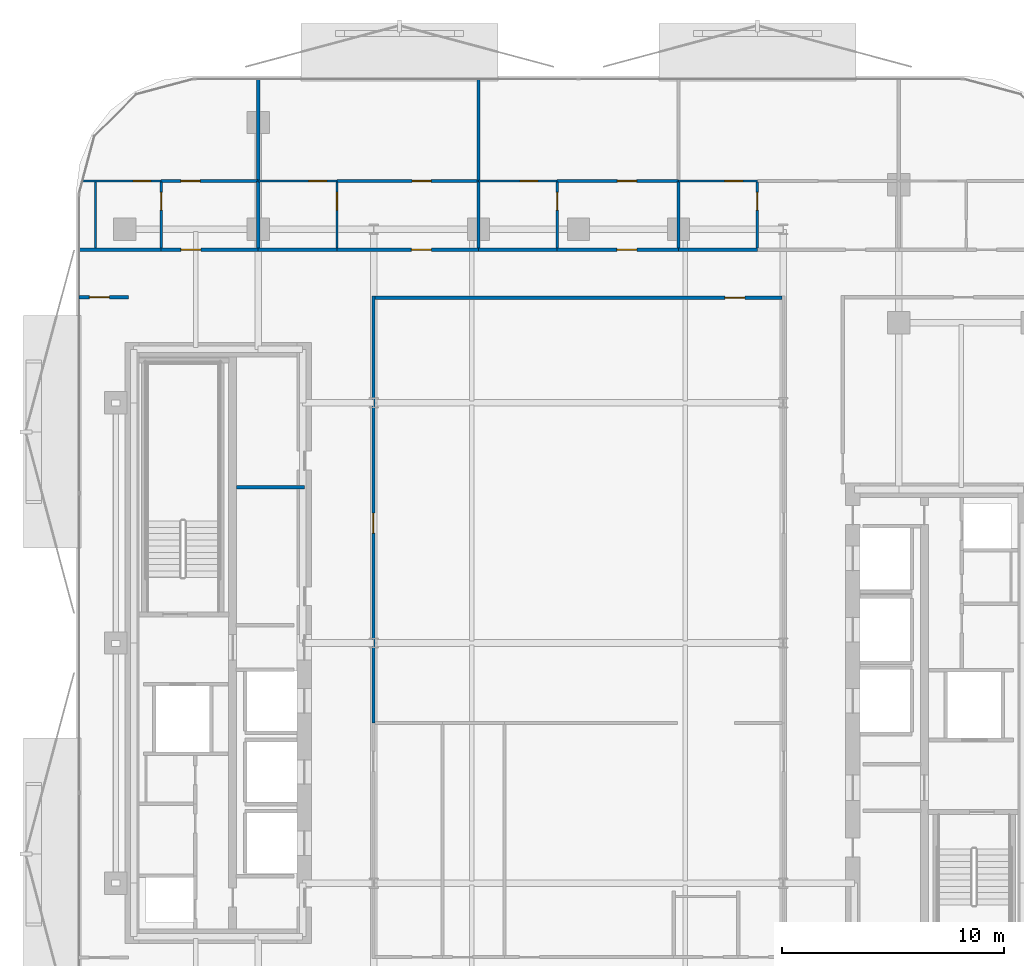
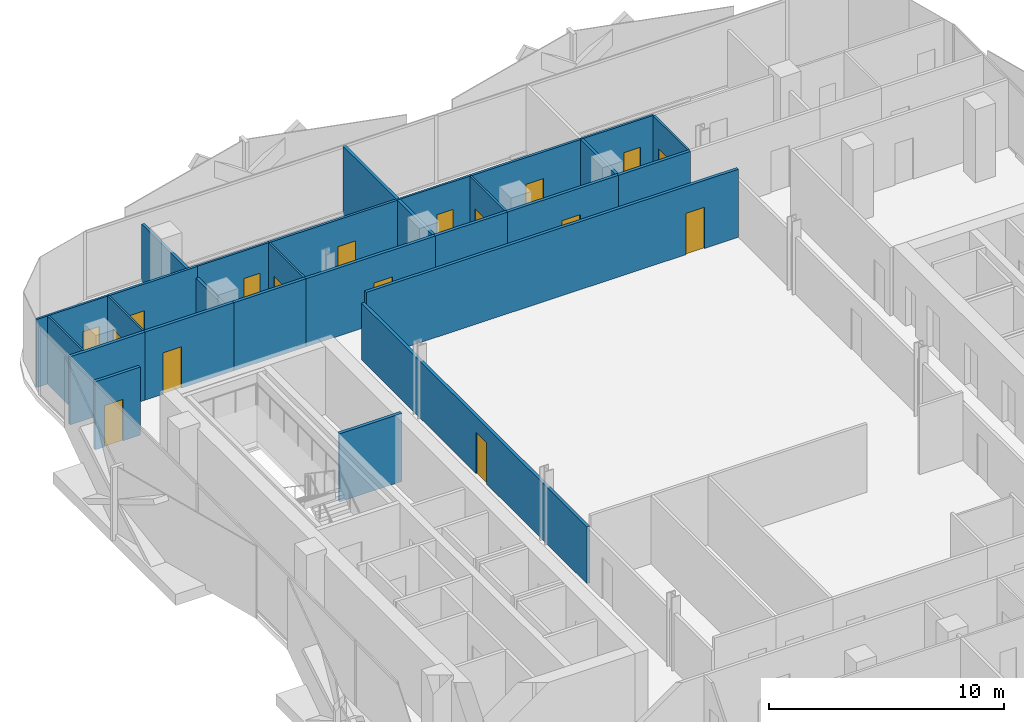
# One storey, part 6 of 17: 28 walls, 17 doors, 17 openings.
"""IFC4 building model written with IfcOpenShell, lengths in metres."""

from ifc_helpers import new_model, si_unit, direction, frame, frame_2d, origin, place, context, subcontext, project, spatial, rectangle, extrude, material, layer, layer_set, type_object, element, fill, save


model = new_model("IFC4")

# Units and contexts
model_context = context("Model", 3, precision=1e-05, world=origin(), true_north=direction((0.0, 1.0)))
body_context = subcontext(model_context, "Body", "Model", "MODEL_VIEW")
ifc_project = project(units=[si_unit("LENGTHUNIT", "METRE"), si_unit("AREAUNIT", "SQUARE_METRE"), si_unit("VOLUMEUNIT", "CUBIC_METRE"), si_unit("PLANEANGLEUNIT", "RADIAN"), si_unit("MASSUNIT", "GRAM", prefix="KILO")], contexts=[model_context])

# Site, building, storey
site_placement = place(None, origin())
site = spatial("IfcSite", under=ifc_project, at=site_placement, CompositionType="ELEMENT")
building_placement = place(site_placement, origin())
building = spatial("IfcBuilding", under=site, at=building_placement, Name="Khairoan Windgate Tower", CompositionType="ELEMENT")
storey_placement = place(building_placement, frame((0.0, 0.0, 165.0)))
storey = spatial("IfcBuildingStorey", under=building, at=storey_placement, Name="L37", CompositionType="ELEMENT", Elevation=165.0)

# Wall, opening, door
ifc_material_1 = material(Name="Moisture-Resistant Gypsum Partition", Category="gypsum")
ifc_layer_1 = layer(ifc_material_1, 0.10009765625, Name="Moisture-Resistant Gypsum Partition")
ifc_layer_set_1 = layer_set([ifc_layer_1], Name="Moisture-Resistant Gypsum Partition")
wall_type_1 = type_object("IfcWallType", Name="Bathroom Wet-Area Partition Wall", PredefinedType="PARTITIONING", material=ifc_layer_set_1)
wall_1_placement = place(storey_placement, frame((-18.763916015625, 17.7548828125, 0.0), z_axis=(0.0, 0.0, 1.0), x_axis=(0.0, 1.0, 0.0)))
wall_1 = element("IfcWall", 1, at=wall_1_placement, inside=storey, type_object=wall_type_1, Name="L37 Interior Partition 050", PredefinedType="PARTITIONING", context=body_context, shape_type="SweptSolid", body=[
    extrude(rectangle(XDim=2.965087890625, YDim=0.10009765625, at=frame_2d((1.482421875, 0.0))), origin(), (0.0, 0.0, 1.0), 3.5400390625),
])
opening_1_placement = place(wall_1_placement, frame((1.705078125, 0.0, 0.0)))
opening_1 = element("IfcOpeningElement", 2, at=opening_1_placement, cuts=wall_1, Name="Opening ID-BTH", PredefinedType="OPENING", context=body_context, shape_type="SweptSolid", body=[
    extrude(rectangle(XDim=0.800048828125, YDim=2.10009765625, at=frame_2d((0.39990234375, 1.050048828125))), frame((0.0, 0.06005859375, 0.0), z_axis=(0.0, -1.0, 0.0), x_axis=(1.0, 0.0, 0.0)), (0.0, 0.0, 1.0), 0.1201171875),
])
ifc_material_2 = material(Name="Teak Veneer Timber Leaf", Category="wood")
door_type_1 = type_object("IfcDoorType", Name="Internal Bathroom Door ID-BTH 800x2100", OperationType="NOTDEFINED", PredefinedType="DOOR", material=ifc_material_2)
door_1_placement = place(opening_1_placement, origin())
door_1 = element("IfcDoor", 3, at=door_1_placement, inside=storey, type_object=door_type_1, Name="L37 L37-38-L37-39 Door", OperationType="SINGLE_SWING_RIGHT", OverallHeight=2.10009765625, OverallWidth=0.800048828125, PredefinedType="DOOR", context=body_context, shape_type="SweptSolid", body=[
    extrude(rectangle(XDim=0.800048828125, YDim=2.10009765625, at=frame_2d((0.39990234375, 1.050048828125))), frame((0.0, 0.02490234375, 0.0), z_axis=(0.0, -1.0, 0.0), x_axis=(1.0, 0.0, 0.0)), (0.0, 0.0, 1.0), 0.050048828125),
])
fill(opening_1, door_1)

wall_2_placement = place(storey_placement, frame((-22.300048828125, 20.77001953125, 0.0), z_axis=(0.0, 0.0, 1.0), x_axis=(1.0, 0.0, 0.0)))
wall_2 = element("IfcWall", 4, at=wall_2_placement, inside=storey, type_object=wall_type_1, Name="L37 Interior Partition 051", PredefinedType="PARTITIONING", context=body_context, shape_type="SweptSolid", body=[
    extrude(rectangle(XDim=3.5361328125, YDim=0.10009765625, at=frame_2d((1.76806640625, 0.0))), origin(), (0.0, 0.0, 1.0), 3.5400390625),
])
opening_2_placement = place(wall_2_placement, frame((2.276123046875, 0.0, 0.0)))
opening_2 = element("IfcOpeningElement", 5, at=opening_2_placement, cuts=wall_2, Name="Opening ID-BTH", PredefinedType="OPENING", context=body_context, shape_type="SweptSolid", body=[
    extrude(rectangle(XDim=0.800048828125, YDim=2.10009765625, at=frame_2d((0.39990234375, 1.050048828125))), frame((0.0, 0.06005859375, 0.0), z_axis=(0.0, -1.0, 0.0), x_axis=(1.0, 0.0, 0.0)), (0.0, 0.0, 1.0), 0.1201171875),
])
door_2_placement = place(opening_2_placement, origin())
door_2 = element("IfcDoor", 6, at=door_2_placement, inside=storey, type_object=door_type_1, Name="L37 L37-38-L37-40 Door", OperationType="SINGLE_SWING_LEFT", OverallHeight=2.10009765625, OverallWidth=0.800048828125, PredefinedType="DOOR", context=body_context, shape_type="SweptSolid", body=[
    extrude(rectangle(XDim=0.800048828125, YDim=2.10009765625, at=frame_2d((0.39990234375, 1.050048828125))), frame((0.0, 0.02490234375, 0.0), z_axis=(0.0, -1.0, 0.0), x_axis=(1.0, 0.0, 0.0)), (0.0, 0.0, 1.0), 0.050048828125),
])
fill(opening_2, door_2)

wall_3_placement = place(storey_placement, frame((-10.860107421875, 17.7548828125, 0.0), z_axis=(0.0, 0.0, 1.0), x_axis=(0.0, 1.0, 0.0)))
wall_3 = element("IfcWall", 7, at=wall_3_placement, inside=storey, type_object=wall_type_1, Name="L37 Interior Partition 055", PredefinedType="PARTITIONING", context=body_context, shape_type="SweptSolid", body=[
    extrude(rectangle(XDim=2.965087890625, YDim=0.10009765625, at=frame_2d((1.482421875, 0.0))), origin(), (0.0, 0.0, 1.0), 3.5400390625),
])
opening_3_placement = place(wall_3_placement, frame((1.705078125, 0.0, 0.0)))
opening_3 = element("IfcOpeningElement", 8, at=opening_3_placement, cuts=wall_3, Name="Opening ID-BTH", PredefinedType="OPENING", context=body_context, shape_type="SweptSolid", body=[
    extrude(rectangle(XDim=0.800048828125, YDim=2.10009765625, at=frame_2d((0.39990234375, 1.050048828125))), frame((0.0, 0.06005859375, 0.0), z_axis=(0.0, -1.0, 0.0), x_axis=(1.0, 0.0, 0.0)), (0.0, 0.0, 1.0), 0.1201171875),
])
door_3_placement = place(opening_3_placement, origin())
door_3 = element("IfcDoor", 9, at=door_3_placement, inside=storey, type_object=door_type_1, Name="L37 L37-41-L37-42 Door", OperationType="SINGLE_SWING_LEFT", OverallHeight=2.10009765625, OverallWidth=0.800048828125, PredefinedType="DOOR", context=body_context, shape_type="SweptSolid", body=[
    extrude(rectangle(XDim=0.800048828125, YDim=2.10009765625, at=frame_2d((0.39990234375, 1.050048828125))), frame((0.0, 0.02490234375, 0.0), z_axis=(0.0, -1.0, 0.0), x_axis=(1.0, 0.0, 0.0)), (0.0, 0.0, 1.0), 0.050048828125),
])
fill(opening_3, door_3)

wall_4_placement = place(storey_placement, frame((-14.39990234375, 20.77001953125, 0.0), z_axis=(0.0, 0.0, 1.0), x_axis=(1.0, 0.0, 0.0)))
wall_4 = element("IfcWall", 10, at=wall_4_placement, inside=storey, type_object=wall_type_1, Name="L37 Interior Partition 056", PredefinedType="PARTITIONING", context=body_context, shape_type="SweptSolid", body=[
    extrude(rectangle(XDim=3.539794921875, YDim=0.10009765625, at=frame_2d((1.77001953125, 0.0))), origin(), (0.0, 0.0, 1.0), 3.5400390625),
])
opening_4_placement = place(wall_4_placement, frame((2.280029296875, 0.0, 0.0)))
opening_4 = element("IfcOpeningElement", 11, at=opening_4_placement, cuts=wall_4, Name="Opening ID-BTH", PredefinedType="OPENING", context=body_context, shape_type="SweptSolid", body=[
    extrude(rectangle(XDim=0.800048828125, YDim=2.10009765625, at=frame_2d((0.39990234375, 1.050048828125))), frame((0.0, 0.06005859375, 0.0), z_axis=(0.0, -1.0, 0.0), x_axis=(1.0, 0.0, 0.0)), (0.0, 0.0, 1.0), 0.1201171875),
])
door_4_placement = place(opening_4_placement, origin())
door_4 = element("IfcDoor", 12, at=door_4_placement, inside=storey, type_object=door_type_1, Name="L37 L37-41-L37-43 Door", OperationType="SINGLE_SWING_RIGHT", OverallHeight=2.10009765625, OverallWidth=0.800048828125, PredefinedType="DOOR", context=body_context, shape_type="SweptSolid", body=[
    extrude(rectangle(XDim=0.800048828125, YDim=2.10009765625, at=frame_2d((0.39990234375, 1.050048828125))), frame((0.0, 0.02490234375, 0.0), z_axis=(0.0, -1.0, 0.0), x_axis=(1.0, 0.0, 0.0)), (0.0, 0.0, 1.0), 0.050048828125),
])
fill(opening_4, door_4)

wall_5_placement = place(storey_placement, frame((-0.9599609375, 17.7548828125, 0.0), z_axis=(0.0, 0.0, 1.0), x_axis=(0.0, 1.0, 0.0)))
wall_5 = element("IfcWall", 13, at=wall_5_placement, inside=storey, type_object=wall_type_1, Name="L37 Interior Partition 060", PredefinedType="PARTITIONING", context=body_context, shape_type="SweptSolid", body=[
    extrude(rectangle(XDim=2.965087890625, YDim=0.10009765625, at=frame_2d((1.482421875, 0.0))), origin(), (0.0, 0.0, 1.0), 3.5400390625),
])
opening_5_placement = place(wall_5_placement, frame((1.705078125, 0.0, 0.0)))
opening_5 = element("IfcOpeningElement", 14, at=opening_5_placement, cuts=wall_5, Name="Opening ID-BTH", PredefinedType="OPENING", context=body_context, shape_type="SweptSolid", body=[
    extrude(rectangle(XDim=0.800048828125, YDim=2.10009765625, at=frame_2d((0.39990234375, 1.050048828125))), frame((0.0, 0.06005859375, 0.0), z_axis=(0.0, -1.0, 0.0), x_axis=(1.0, 0.0, 0.0)), (0.0, 0.0, 1.0), 0.1201171875),
])
door_5_placement = place(opening_5_placement, origin())
door_5 = element("IfcDoor", 15, at=door_5_placement, inside=storey, type_object=door_type_1, Name="L37 L37-44-L37-45 Door", OperationType="SINGLE_SWING_RIGHT", OverallHeight=2.10009765625, OverallWidth=0.800048828125, PredefinedType="DOOR", context=body_context, shape_type="SweptSolid", body=[
    extrude(rectangle(XDim=0.800048828125, YDim=2.10009765625, at=frame_2d((0.39990234375, 1.050048828125))), frame((0.0, 0.02490234375, 0.0), z_axis=(0.0, -1.0, 0.0), x_axis=(1.0, 0.0, 0.0)), (0.0, 0.0, 1.0), 0.050048828125),
])
fill(opening_5, door_5)

wall_6_placement = place(storey_placement, frame((-4.5, 20.77001953125, 0.0), z_axis=(0.0, 0.0, 1.0), x_axis=(1.0, 0.0, 0.0)))
wall_6 = element("IfcWall", 16, at=wall_6_placement, inside=storey, type_object=wall_type_1, Name="L37 Interior Partition 061", PredefinedType="PARTITIONING", context=body_context, shape_type="SweptSolid", body=[
    extrude(rectangle(XDim=3.5400390625, YDim=0.10009765625, at=frame_2d((1.77001953125, 0.0))), origin(), (0.0, 0.0, 1.0), 3.5400390625),
])
opening_6_placement = place(wall_6_placement, frame((1.87548828125, 0.0, 0.0)))
opening_6 = element("IfcOpeningElement", 17, at=opening_6_placement, cuts=wall_6, Name="Opening ID-BTH", PredefinedType="OPENING", context=body_context, shape_type="SweptSolid", body=[
    extrude(rectangle(XDim=0.800048828125, YDim=2.10009765625, at=frame_2d((0.39990234375, 1.050048828125))), frame((0.0, 0.06005859375, 0.0), z_axis=(0.0, -1.0, 0.0), x_axis=(1.0, 0.0, 0.0)), (0.0, 0.0, 1.0), 0.1201171875),
])
door_6_placement = place(opening_6_placement, origin())
door_6 = element("IfcDoor", 18, at=door_6_placement, inside=storey, type_object=door_type_1, Name="L37 L37-44-L37-46 Door", OperationType="SINGLE_SWING_LEFT", OverallHeight=2.10009765625, OverallWidth=0.800048828125, PredefinedType="DOOR", context=body_context, shape_type="SweptSolid", body=[
    extrude(rectangle(XDim=0.800048828125, YDim=2.10009765625, at=frame_2d((0.39990234375, 1.050048828125))), frame((0.0, 0.02490234375, 0.0), z_axis=(0.0, -1.0, 0.0), x_axis=(1.0, 0.0, 0.0)), (0.0, 0.0, 1.0), 0.050048828125),
])
fill(opening_6, door_6)

wall_7_placement = place(storey_placement, frame((8.0400390625, 17.7548828125, 0.0), z_axis=(0.0, 0.0, 1.0), x_axis=(0.0, 1.0, 0.0)))
wall_7 = element("IfcWall", 19, at=wall_7_placement, inside=storey, type_object=wall_type_1, Name="L37 Interior Partition 065", PredefinedType="PARTITIONING", context=body_context, shape_type="SweptSolid", body=[
    extrude(rectangle(XDim=2.965087890625, YDim=0.10009765625, at=frame_2d((1.482421875, 0.0))), origin(), (0.0, 0.0, 1.0), 3.5400390625),
])
opening_7_placement = place(wall_7_placement, frame((1.705078125, 0.0, 0.0)))
opening_7 = element("IfcOpeningElement", 20, at=opening_7_placement, cuts=wall_7, Name="Opening ID-BTH", PredefinedType="OPENING", context=body_context, shape_type="SweptSolid", body=[
    extrude(rectangle(XDim=0.800048828125, YDim=2.10009765625, at=frame_2d((0.39990234375, 1.050048828125))), frame((0.0, 0.06005859375, 0.0), z_axis=(0.0, -1.0, 0.0), x_axis=(1.0, 0.0, 0.0)), (0.0, 0.0, 1.0), 0.1201171875),
])
door_7_placement = place(opening_7_placement, origin())
door_7 = element("IfcDoor", 21, at=door_7_placement, inside=storey, type_object=door_type_1, Name="L37 L37-47-L37-48 Door", OperationType="SINGLE_SWING_LEFT", OverallHeight=2.10009765625, OverallWidth=0.800048828125, PredefinedType="DOOR", context=body_context, shape_type="SweptSolid", body=[
    extrude(rectangle(XDim=0.800048828125, YDim=2.10009765625, at=frame_2d((0.39990234375, 1.050048828125))), frame((0.0, 0.02490234375, 0.0), z_axis=(0.0, -1.0, 0.0), x_axis=(1.0, 0.0, 0.0)), (0.0, 0.0, 1.0), 0.050048828125),
])
fill(opening_7, door_7)

wall_8_placement = place(storey_placement, frame((4.5, 20.77001953125, 0.0), z_axis=(0.0, 0.0, 1.0), x_axis=(1.0, 0.0, 0.0)))
wall_8 = element("IfcWall", 22, at=wall_8_placement, inside=storey, type_object=wall_type_1, Name="L37 Interior Partition 066", PredefinedType="PARTITIONING", context=body_context, shape_type="SweptSolid", body=[
    extrude(rectangle(XDim=3.5400390625, YDim=0.10009765625, at=frame_2d((1.77001953125, 0.0))), origin(), (0.0, 0.0, 1.0), 3.5400390625),
])
opening_8_placement = place(wall_8_placement, frame((2.077880859375, 0.0, 0.0)))
opening_8 = element("IfcOpeningElement", 23, at=opening_8_placement, cuts=wall_8, Name="Opening ID-BTH", PredefinedType="OPENING", context=body_context, shape_type="SweptSolid", body=[
    extrude(rectangle(XDim=0.800048828125, YDim=2.10009765625, at=frame_2d((0.39990234375, 1.050048828125))), frame((0.0, 0.06005859375, 0.0), z_axis=(0.0, -1.0, 0.0), x_axis=(1.0, 0.0, 0.0)), (0.0, 0.0, 1.0), 0.1201171875),
])
door_8_placement = place(opening_8_placement, origin())
door_8 = element("IfcDoor", 24, at=door_8_placement, inside=storey, type_object=door_type_1, Name="L37 L37-47-L37-49 Door", OperationType="SINGLE_SWING_RIGHT", OverallHeight=2.10009765625, OverallWidth=0.800048828125, PredefinedType="DOOR", context=body_context, shape_type="SweptSolid", body=[
    extrude(rectangle(XDim=0.800048828125, YDim=2.10009765625, at=frame_2d((0.39990234375, 1.050048828125))), frame((0.0, 0.02490234375, 0.0), z_axis=(0.0, -1.0, 0.0), x_axis=(1.0, 0.0, 0.0)), (0.0, 0.0, 1.0), 0.050048828125),
])
fill(opening_8, door_8)

# Walls
wall_9_placement = place(storey_placement, frame((-21.719970703125, 17.7548828125, 0.0), z_axis=(0.0, 0.0, 1.0), x_axis=(0.0, 1.0, 0.0)))
element("IfcWall", 25, at=wall_9_placement, inside=storey, type_object=wall_type_1, Name="L37 Wet Room Side Wall 090", PredefinedType="PARTITIONING", context=body_context, shape_type="SweptSolid", body=[
    extrude(rectangle(XDim=2.965087890625, YDim=0.10009765625, at=frame_2d((1.482421875, 0.0))), origin(), (0.0, 0.0, 1.0), 3.5400390625),
])
ifc_material_3 = material(Name="Acoustic Fire-Rated Gypsum Partition", Category="gypsum")
ifc_layer_2 = layer(ifc_material_3, 0.139892578125, Name="Acoustic Fire-Rated Gypsum Partition")
ifc_layer_set_2 = layer_set([ifc_layer_2], Name="Acoustic Fire-Rated Gypsum Partition")
wall_type_2 = type_object("IfcWallType", Name="Inter-Tenancy Compartment Wall", PredefinedType="PARTITIONING", material=ifc_layer_set_2)
wall_10_placement = place(storey_placement, frame((-14.39990234375, 17.7548828125, 0.0), z_axis=(0.0, 0.0, 1.0), x_axis=(0.0, 1.0, 0.0)))
element("IfcWall", 26, at=wall_10_placement, inside=storey, type_object=wall_type_2, Name="L37 Interior Partition 053", PredefinedType="PARTITIONING", context=body_context, shape_type="SweptSolid", body=[
    extrude(rectangle(XDim=3.01513671875, YDim=0.139892578125, at=frame_2d((1.507568359375, 0.0))), origin(), (0.0, 0.0, 1.0), 2.951904296875),
])
wall_11_placement = place(storey_placement, frame((-14.39990234375, 20.77001953125, 0.0), z_axis=(0.0, 0.0, 1.0), x_axis=(0.0, 1.0, 0.0)))
element("IfcWall", 27, at=wall_11_placement, inside=storey, type_object=wall_type_2, Name="L37 Interior Partition 054", PredefinedType="PARTITIONING", context=body_context, shape_type="SweptSolid", body=[
    extrude(rectangle(XDim=4.5849609375, YDim=0.139892578125, at=frame_2d((2.29248046875, 0.0))), origin(), (0.0, 0.0, 1.0), 2.951904296875),
])
wall_12_placement = place(storey_placement, frame((-4.5, 17.7548828125, 0.0), z_axis=(0.0, 0.0, 1.0), x_axis=(0.0, 1.0, 0.0)))
element("IfcWall", 28, at=wall_12_placement, inside=storey, type_object=wall_type_2, Name="L37 Interior Partition 058", PredefinedType="PARTITIONING", context=body_context, shape_type="SweptSolid", body=[
    extrude(rectangle(XDim=3.01513671875, YDim=0.139892578125, at=frame_2d((1.507568359375, 0.0))), origin(), (0.0, 0.0, 1.0), 3.5400390625),
])
wall_13_placement = place(storey_placement, frame((-4.5, 20.77001953125, 0.0), z_axis=(0.0, 0.0, 1.0), x_axis=(0.0, 1.0, 0.0)))
element("IfcWall", 29, at=wall_13_placement, inside=storey, type_object=wall_type_2, Name="L37 Interior Partition 059", PredefinedType="PARTITIONING", context=body_context, shape_type="SweptSolid", body=[
    extrude(rectangle(XDim=4.5849609375, YDim=0.139892578125, at=frame_2d((2.29248046875, 0.0))), origin(), (0.0, 0.0, 1.0), 3.5400390625),
])
wall_14_placement = place(storey_placement, frame((4.5, 17.7548828125, 0.0), z_axis=(0.0, 0.0, 1.0), x_axis=(0.0, 1.0, 0.0)))
element("IfcWall", 30, at=wall_14_placement, inside=storey, type_object=wall_type_2, Name="L37 Interior Partition 063", PredefinedType="PARTITIONING", context=body_context, shape_type="SweptSolid", body=[
    extrude(rectangle(XDim=3.01513671875, YDim=0.139892578125, at=frame_2d((1.507568359375, 0.0))), origin(), (0.0, 0.0, 1.0), 3.5400390625),
])

# Wall, opening, door
ifc_material_4 = material(Name="Gypsum Stud Partition", Category="gypsum")
ifc_layer_3 = layer(ifc_material_4, 0.1201171875, Name="Gypsum Stud Partition")
ifc_layer_set_3 = layer_set([ifc_layer_3], Name="Gypsum Stud Partition")
wall_type_3 = type_object("IfcWallType", Name="Internal Room Partition Wall", PredefinedType="PARTITIONING", material=ifc_layer_set_3)
wall_15_placement = place(storey_placement, frame((-18.763916015625, 20.77001953125, 0.0), z_axis=(0.0, 0.0, 1.0), x_axis=(1.0, 0.0, 0.0)))
wall_15 = element("IfcWall", 31, at=wall_15_placement, inside=storey, type_object=wall_type_3, Name="L37 Interior Partition 052", PredefinedType="PARTITIONING", context=body_context, shape_type="SweptSolid", body=[
    extrude(rectangle(XDim=4.364013671875, YDim=0.1201171875, at=frame_2d((2.18212890625, 0.0))), origin(), (0.0, 0.0, 1.0), 3.5400390625),
])
opening_9_placement = place(wall_15_placement, frame((0.890625, 0.0, 0.0)))
opening_9 = element("IfcOpeningElement", 32, at=opening_9_placement, cuts=wall_15, Name="Opening ID-RM", PredefinedType="OPENING", context=body_context, shape_type="SweptSolid", body=[
    extrude(rectangle(XDim=0.860107421875, YDim=2.14990234375, at=frame_2d((0.43017578125, 1.074951171875))), frame((0.0, 0.070068359375, 0.0), z_axis=(0.0, -1.0, 0.0), x_axis=(1.0, 0.0, 0.0)), (0.0, 0.0, 1.0), 0.14013671875),
])
ifc_material_5 = material(Name="Teak Veneer Timber Leaf", Category="wood")
door_type_2 = type_object("IfcDoorType", Name="Internal Bedroom and Office Door ID-RM 860x2150", OperationType="NOTDEFINED", PredefinedType="DOOR", material=ifc_material_5)
door_9_placement = place(opening_9_placement, origin())
door_9 = element("IfcDoor", 33, at=door_9_placement, inside=storey, type_object=door_type_2, Name="L37 L37-39-L37-40 Door", OperationType="SINGLE_SWING_RIGHT", OverallHeight=2.14990234375, OverallWidth=0.860107421875, PredefinedType="DOOR", context=body_context, shape_type="SweptSolid", body=[
    extrude(rectangle(XDim=0.860107421875, YDim=2.14990234375, at=frame_2d((0.43017578125, 1.074951171875))), frame((0.0, 0.02490234375, 0.0), z_axis=(0.0, -1.0, 0.0), x_axis=(1.0, 0.0, 0.0)), (0.0, 0.0, 1.0), 0.050048828125),
])
fill(opening_9, door_9)

wall_16_placement = place(storey_placement, frame((-10.860107421875, 20.77001953125, 0.0), z_axis=(0.0, 0.0, 1.0), x_axis=(1.0, 0.0, 0.0)))
wall_16 = element("IfcWall", 34, at=wall_16_placement, inside=storey, type_object=wall_type_3, Name="L37 Interior Partition 057", PredefinedType="PARTITIONING", context=body_context, shape_type="SweptSolid", body=[
    extrude(rectangle(XDim=6.360107421875, YDim=0.1201171875, at=frame_2d((3.18017578125, 0.0))), origin(), (0.0, 0.0, 1.0), 3.5400390625),
])
opening_10_placement = place(wall_16_placement, frame((3.37451171875, 0.0, 0.0)))
opening_10 = element("IfcOpeningElement", 35, at=opening_10_placement, cuts=wall_16, Name="Opening ID-RM", PredefinedType="OPENING", context=body_context, shape_type="SweptSolid", body=[
    extrude(rectangle(XDim=0.860107421875, YDim=2.14990234375, at=frame_2d((0.43017578125, 1.074951171875))), frame((0.0, 0.070068359375, 0.0), z_axis=(0.0, -1.0, 0.0), x_axis=(1.0, 0.0, 0.0)), (0.0, 0.0, 1.0), 0.14013671875),
])
door_10_placement = place(opening_10_placement, origin())
door_10 = element("IfcDoor", 36, at=door_10_placement, inside=storey, type_object=door_type_2, Name="L37 L37-42-L37-43 Door", OperationType="SINGLE_SWING_LEFT", OverallHeight=2.14990234375, OverallWidth=0.860107421875, PredefinedType="DOOR", context=body_context, shape_type="SweptSolid", body=[
    extrude(rectangle(XDim=0.860107421875, YDim=2.14990234375, at=frame_2d((0.43017578125, 1.074951171875))), frame((0.0, 0.02490234375, 0.0), z_axis=(0.0, -1.0, 0.0), x_axis=(1.0, 0.0, 0.0)), (0.0, 0.0, 1.0), 0.050048828125),
])
fill(opening_10, door_10)

wall_17_placement = place(storey_placement, frame((-0.9599609375, 20.77001953125, 0.0), z_axis=(0.0, 0.0, 1.0), x_axis=(1.0, 0.0, 0.0)))
wall_17 = element("IfcWall", 37, at=wall_17_placement, inside=storey, type_object=wall_type_3, Name="L37 Interior Partition 062", PredefinedType="PARTITIONING", context=body_context, shape_type="SweptSolid", body=[
    extrude(rectangle(XDim=5.4599609375, YDim=0.1201171875, at=frame_2d((2.72998046875, 0.0))), origin(), (0.0, 0.0, 1.0), 3.5400390625),
])
opening_11_placement = place(wall_17_placement, frame((2.708984375, 0.0, 0.0)))
opening_11 = element("IfcOpeningElement", 38, at=opening_11_placement, cuts=wall_17, Name="Opening ID-RM", PredefinedType="OPENING", context=body_context, shape_type="SweptSolid", body=[
    extrude(rectangle(XDim=0.860107421875, YDim=2.14990234375, at=frame_2d((0.43017578125, 1.074951171875))), frame((0.0, 0.070068359375, 0.0), z_axis=(0.0, -1.0, 0.0), x_axis=(1.0, 0.0, 0.0)), (0.0, 0.0, 1.0), 0.14013671875),
])
door_11_placement = place(opening_11_placement, origin())
door_11 = element("IfcDoor", 39, at=door_11_placement, inside=storey, type_object=door_type_2, Name="L37 L37-45-L37-46 Door", OperationType="SINGLE_SWING_RIGHT", OverallHeight=2.14990234375, OverallWidth=0.860107421875, PredefinedType="DOOR", context=body_context, shape_type="SweptSolid", body=[
    extrude(rectangle(XDim=0.860107421875, YDim=2.14990234375, at=frame_2d((0.43017578125, 1.074951171875))), frame((0.0, 0.02490234375, 0.0), z_axis=(0.0, -1.0, 0.0), x_axis=(1.0, 0.0, 0.0)), (0.0, 0.0, 1.0), 0.050048828125),
])
fill(opening_11, door_11)

# Wall
ifc_material_6 = material(Name="Concrete C40/50", Category="concrete")
ifc_layer_4 = layer(ifc_material_6, 0.159912109375, Name="Concrete C40/50")
ifc_layer_set_4 = layer_set([ifc_layer_4], Name="Concrete C40/50")
wall_type_4 = type_object("IfcWallType", Name="Plant and Refuge Compartment Wall", PredefinedType="PARTITIONING", material=ifc_layer_set_4)
wall_18_placement = place(storey_placement, frame((-15.375, 7.0, 0.0), z_axis=(0.0, 0.0, 1.0), x_axis=(1.0, 0.0, 0.0)))
element("IfcWall", 40, at=wall_18_placement, inside=storey, type_object=wall_type_4, Name="L37 Interior Partition 006", PredefinedType="PARTITIONING", context=body_context, shape_type="SweptSolid", body=[
    extrude(rectangle(XDim=3.06494140625, YDim=0.159912109375, at=frame_2d((1.532470703125, 0.0))), origin(), (0.0, 0.0, 1.0), 3.5400390625),
])

# Wall, opening, door
ifc_material_7 = material(Name="Acoustic Fire-Rated Gypsum Partition", Category="gypsum")
ifc_layer_5 = layer(ifc_material_7, 0.14990234375, Name="Acoustic Fire-Rated Gypsum Partition")
ifc_layer_set_5 = layer_set([ifc_layer_5], Name="Acoustic Fire-Rated Gypsum Partition")
wall_type_5 = type_object("IfcWallType", Name="Rated Corridor Partition Wall", PredefinedType="PARTITIONING", material=ifc_layer_set_5)
wall_19_placement = place(storey_placement, frame((-9.219970703125, -3.60009765625, 0.0), z_axis=(0.0, 0.0, 1.0), x_axis=(0.0, 1.0, 0.0)))
wall_19 = element("IfcWall", 41, at=wall_19_placement, inside=storey, type_object=wall_type_5, Name="L37 Interior Partition 013", PredefinedType="PARTITIONING", context=body_context, shape_type="SweptSolid", body=[
    extrude(rectangle(XDim=19.195068359375, YDim=0.14990234375, at=frame_2d((9.59765625, 0.0))), origin(), (0.0, 0.0, 1.0), 2.951904296875),
])
opening_12_placement = place(wall_19_placement, frame((8.54150390625, 0.0, 0.0)))
opening_12 = element("IfcOpeningElement", 42, at=opening_12_placement, cuts=wall_19, Name="Opening FD-ENT", PredefinedType="OPENING", context=body_context, shape_type="SweptSolid", body=[
    extrude(rectangle(XDim=0.89990234375, YDim=2.14990234375, at=frame_2d((0.449951171875, 1.074951171875))), frame((0.0, 0.0849609375, 0.0), z_axis=(0.0, -1.0, 0.0), x_axis=(1.0, 0.0, 0.0)), (0.0, 0.0, 1.0), 0.169921875),
])
ifc_material_8 = material(Name="Timber Fire-Rated Core", Category="wood")
door_type_3 = type_object("IfcDoorType", Name="Unit and Office Fire Entrance Door FD-ENT 900x2150", OperationType="NOTDEFINED", PredefinedType="DOOR", material=ifc_material_8)
door_12_placement = place(opening_12_placement, origin())
door_12 = element("IfcDoor", 43, at=door_12_placement, inside=storey, type_object=door_type_3, Name="L37 L37-28-L37-37 Door", OperationType="SINGLE_SWING_LEFT", OverallHeight=2.14990234375, OverallWidth=0.89990234375, PredefinedType="DOOR", context=body_context, shape_type="SweptSolid", body=[
    extrude(rectangle(XDim=0.89990234375, YDim=2.14990234375, at=frame_2d((0.449951171875, 1.074951171875))), frame((0.0, 0.02490234375, 0.0), z_axis=(0.0, -1.0, 0.0), x_axis=(1.0, 0.0, 0.0)), (0.0, 0.0, 1.0), 0.050048828125),
])
fill(opening_12, door_12)

wall_20_placement = place(storey_placement, frame((-9.14501953125, 15.52001953125, 0.0), z_axis=(0.0, 0.0, 1.0), x_axis=(1.0, 0.0, 0.0)))
wall_20 = element("IfcWall", 44, at=wall_20_placement, inside=storey, type_object=wall_type_5, Name="L37 Interior Partition 017", PredefinedType="PARTITIONING", context=body_context, shape_type="SweptSolid", body=[
    extrude(rectangle(XDim=18.2900390625, YDim=0.14990234375, at=frame_2d((9.14501953125, 0.0))), origin(), (0.0, 0.0, 1.0), 3.5400390625),
])
opening_13_placement = place(wall_20_placement, frame((15.724853515625, 0.0, 0.0)))
opening_13 = element("IfcOpeningElement", 45, at=opening_13_placement, cuts=wall_20, Name="Opening FD-ENT", PredefinedType="OPENING", context=body_context, shape_type="SweptSolid", body=[
    extrude(rectangle(XDim=0.89990234375, YDim=2.14990234375, at=frame_2d((0.449951171875, 1.074951171875))), frame((0.0, 0.0849609375, 0.0), z_axis=(0.0, -1.0, 0.0), x_axis=(1.0, 0.0, 0.0)), (0.0, 0.0, 1.0), 0.169921875),
])
door_13_placement = place(opening_13_placement, origin())
door_13 = element("IfcDoor", 46, at=door_13_placement, inside=storey, type_object=door_type_3, Name="L37 L37-30-L37-37 Door", OperationType="SINGLE_SWING_LEFT", OverallHeight=2.14990234375, OverallWidth=0.89990234375, PredefinedType="DOOR", context=body_context, shape_type="SweptSolid", body=[
    extrude(rectangle(XDim=0.89990234375, YDim=2.14990234375, at=frame_2d((0.449951171875, 1.074951171875))), frame((0.0, 0.02490234375, 0.0), z_axis=(0.0, -1.0, 0.0), x_axis=(1.0, 0.0, 0.0)), (0.0, 0.0, 1.0), 0.050048828125),
])
fill(opening_13, door_13)

# Wall
wall_21_placement = place(storey_placement, frame((-22.455078125, 17.679931640625, 0.0), z_axis=(0.0, 0.0, 1.0), x_axis=(1.0, 0.0, 0.0)))
element("IfcWall", 47, at=wall_21_placement, inside=storey, type_object=wall_type_5, Name="L37 Interior Partition 018", PredefinedType="PARTITIONING", context=body_context, shape_type="SweptSolid", body=[
    extrude(rectangle(XDim=3.691162109375, YDim=0.14990234375, at=frame_2d((1.845703125, 0.0))), origin(), (0.0, 0.0, 1.0), 3.5400390625),
])

# Wall, opening, door
wall_22_placement = place(storey_placement, frame((-18.763916015625, 17.679931640625, 0.0), z_axis=(0.0, 0.0, 1.0), x_axis=(1.0, 0.0, 0.0)))
wall_22 = element("IfcWall", 48, at=wall_22_placement, inside=storey, type_object=wall_type_5, Name="L37 Interior Partition 019", PredefinedType="PARTITIONING", context=body_context, shape_type="SweptSolid", body=[
    extrude(rectangle(XDim=4.364013671875, YDim=0.14990234375, at=frame_2d((2.18212890625, 0.0))), origin(), (0.0, 0.0, 1.0), 3.5400390625),
])
opening_14_placement = place(wall_22_placement, frame((0.884033203125, 0.0, 0.0)))
opening_14 = element("IfcOpeningElement", 49, at=opening_14_placement, cuts=wall_22, Name="Opening FD-ENT", PredefinedType="OPENING", context=body_context, shape_type="SweptSolid", body=[
    extrude(rectangle(XDim=0.89990234375, YDim=2.14990234375, at=frame_2d((0.449951171875, 1.074951171875))), frame((0.0, 0.0849609375, 0.0), z_axis=(0.0, -1.0, 0.0), x_axis=(1.0, 0.0, 0.0)), (0.0, 0.0, 1.0), 0.169921875),
])
door_14_placement = place(opening_14_placement, origin())
door_14 = element("IfcDoor", 50, at=door_14_placement, inside=storey, type_object=door_type_3, Name="L37 L37-30-L37-39 Door", OperationType="SINGLE_SWING_RIGHT", OverallHeight=2.14990234375, OverallWidth=0.89990234375, PredefinedType="DOOR", context=body_context, shape_type="SweptSolid", body=[
    extrude(rectangle(XDim=0.89990234375, YDim=2.14990234375, at=frame_2d((0.449951171875, 1.074951171875))), frame((0.0, 0.02490234375, 0.0), z_axis=(0.0, -1.0, 0.0), x_axis=(1.0, 0.0, 0.0)), (0.0, 0.0, 1.0), 0.050048828125),
])
fill(opening_14, door_14)

# Wall
wall_23_placement = place(storey_placement, frame((-14.39990234375, 17.679931640625, 0.0), z_axis=(0.0, 0.0, 1.0), x_axis=(1.0, 0.0, 0.0)))
element("IfcWall", 51, at=wall_23_placement, inside=storey, type_object=wall_type_5, Name="L37 Interior Partition 020", PredefinedType="PARTITIONING", context=body_context, shape_type="SweptSolid", body=[
    extrude(rectangle(XDim=3.539794921875, YDim=0.14990234375, at=frame_2d((1.77001953125, 0.0))), origin(), (0.0, 0.0, 1.0), 3.5400390625),
])

# Wall, opening, door
wall_24_placement = place(storey_placement, frame((-10.860107421875, 17.679931640625, 0.0), z_axis=(0.0, 0.0, 1.0), x_axis=(1.0, 0.0, 0.0)))
wall_24 = element("IfcWall", 52, at=wall_24_placement, inside=storey, type_object=wall_type_5, Name="L37 Interior Partition 021", PredefinedType="PARTITIONING", context=body_context, shape_type="SweptSolid", body=[
    extrude(rectangle(XDim=6.360107421875, YDim=0.14990234375, at=frame_2d((3.18017578125, 0.0))), origin(), (0.0, 0.0, 1.0), 3.5400390625),
])
opening_15_placement = place(wall_24_placement, frame((3.34912109375, 0.0, 0.0)))
opening_15 = element("IfcOpeningElement", 53, at=opening_15_placement, cuts=wall_24, Name="Opening FD-ENT", PredefinedType="OPENING", context=body_context, shape_type="SweptSolid", body=[
    extrude(rectangle(XDim=0.89990234375, YDim=2.14990234375, at=frame_2d((0.449951171875, 1.074951171875))), frame((0.0, 0.0849609375, 0.0), z_axis=(0.0, -1.0, 0.0), x_axis=(1.0, 0.0, 0.0)), (0.0, 0.0, 1.0), 0.169921875),
])
door_15_placement = place(opening_15_placement, origin())
door_15 = element("IfcDoor", 54, at=door_15_placement, inside=storey, type_object=door_type_3, Name="L37 L37-30-L37-42 Door", OperationType="SINGLE_SWING_LEFT", OverallHeight=2.14990234375, OverallWidth=0.89990234375, PredefinedType="DOOR", context=body_context, shape_type="SweptSolid", body=[
    extrude(rectangle(XDim=0.89990234375, YDim=2.14990234375, at=frame_2d((0.449951171875, 1.074951171875))), frame((0.0, 0.02490234375, 0.0), z_axis=(0.0, -1.0, 0.0), x_axis=(1.0, 0.0, 0.0)), (0.0, 0.0, 1.0), 0.050048828125),
])
fill(opening_15, door_15)

# Wall
wall_25_placement = place(storey_placement, frame((-4.5, 17.679931640625, 0.0), z_axis=(0.0, 0.0, 1.0), x_axis=(1.0, 0.0, 0.0)))
element("IfcWall", 55, at=wall_25_placement, inside=storey, type_object=wall_type_5, Name="L37 Interior Partition 022", PredefinedType="PARTITIONING", context=body_context, shape_type="SweptSolid", body=[
    extrude(rectangle(XDim=3.5400390625, YDim=0.14990234375, at=frame_2d((1.77001953125, 0.0))), origin(), (0.0, 0.0, 1.0), 3.5400390625),
])

# Wall, opening, door
wall_26_placement = place(storey_placement, frame((-0.9599609375, 17.679931640625, 0.0), z_axis=(0.0, 0.0, 1.0), x_axis=(1.0, 0.0, 0.0)))
wall_26 = element("IfcWall", 56, at=wall_26_placement, inside=storey, type_object=wall_type_5, Name="L37 Interior Partition 023", PredefinedType="PARTITIONING", context=body_context, shape_type="SweptSolid", body=[
    extrude(rectangle(XDim=5.4599609375, YDim=0.14990234375, at=frame_2d((2.72998046875, 0.0))), origin(), (0.0, 0.0, 1.0), 3.5400390625),
])
opening_16_placement = place(wall_26_placement, frame((2.684326171875, 0.0, 0.0)))
opening_16 = element("IfcOpeningElement", 57, at=opening_16_placement, cuts=wall_26, Name="Opening FD-ENT", PredefinedType="OPENING", context=body_context, shape_type="SweptSolid", body=[
    extrude(rectangle(XDim=0.89990234375, YDim=2.14990234375, at=frame_2d((0.449951171875, 1.074951171875))), frame((0.0, 0.0849609375, 0.0), z_axis=(0.0, -1.0, 0.0), x_axis=(1.0, 0.0, 0.0)), (0.0, 0.0, 1.0), 0.169921875),
])
door_16_placement = place(opening_16_placement, origin())
door_16 = element("IfcDoor", 58, at=door_16_placement, inside=storey, type_object=door_type_3, Name="L37 L37-30-L37-45 Door", OperationType="SINGLE_SWING_RIGHT", OverallHeight=2.14990234375, OverallWidth=0.89990234375, PredefinedType="DOOR", context=body_context, shape_type="SweptSolid", body=[
    extrude(rectangle(XDim=0.89990234375, YDim=2.14990234375, at=frame_2d((0.449951171875, 1.074951171875))), frame((0.0, 0.02490234375, 0.0), z_axis=(0.0, -1.0, 0.0), x_axis=(1.0, 0.0, 0.0)), (0.0, 0.0, 1.0), 0.050048828125),
])
fill(opening_16, door_16)

# Wall
wall_27_placement = place(storey_placement, frame((4.5, 17.679931640625, 0.0), z_axis=(0.0, 0.0, 1.0), x_axis=(1.0, 0.0, 0.0)))
element("IfcWall", 59, at=wall_27_placement, inside=storey, type_object=wall_type_5, Name="L37 Interior Partition 024", PredefinedType="PARTITIONING", context=body_context, shape_type="SweptSolid", body=[
    extrude(rectangle(XDim=3.5400390625, YDim=0.14990234375, at=frame_2d((1.77001953125, 0.0))), origin(), (0.0, 0.0, 1.0), 3.5400390625),
])

# Wall, opening, door
wall_28_placement = place(storey_placement, frame((-22.455078125, 15.5400390625, 0.0), z_axis=(0.0, 0.0, 1.0), x_axis=(1.0, 0.0, 0.0)))
wall_28 = element("IfcWall", 60, at=wall_28_placement, inside=storey, type_object=wall_type_5, Name="L37 Interior Partition 029", PredefinedType="PARTITIONING", context=body_context, shape_type="SweptSolid", body=[
    extrude(rectangle(XDim=2.215087890625, YDim=0.14990234375, at=frame_2d((1.107421875, 0.0))), origin(), (0.0, 0.0, 1.0), 3.5400390625),
])
opening_17_placement = place(wall_28_placement, frame((0.4599609375, 0.0, 0.0)))
opening_17 = element("IfcOpeningElement", 61, at=opening_17_placement, cuts=wall_28, Name="Opening FD-ENT", PredefinedType="OPENING", context=body_context, shape_type="SweptSolid", body=[
    extrude(rectangle(XDim=0.89990234375, YDim=2.14990234375, at=frame_2d((0.449951171875, 1.074951171875))), frame((0.0, 0.0849609375, 0.0), z_axis=(0.0, -1.0, 0.0), x_axis=(1.0, 0.0, 0.0)), (0.0, 0.0, 1.0), 0.169921875),
])
door_17_placement = place(opening_17_placement, origin())
door_17 = element("IfcDoor", 62, at=door_17_placement, inside=storey, type_object=door_type_3, Name="L37 L37-30-L37-63 Door", OperationType="SINGLE_SWING_RIGHT", OverallHeight=2.14990234375, OverallWidth=0.89990234375, PredefinedType="DOOR", context=body_context, shape_type="SweptSolid", body=[
    extrude(rectangle(XDim=0.89990234375, YDim=2.14990234375, at=frame_2d((0.449951171875, 1.074951171875))), frame((0.0, 0.02490234375, 0.0), z_axis=(0.0, -1.0, 0.0), x_axis=(1.0, 0.0, 0.0)), (0.0, 0.0, 1.0), 0.050048828125),
])
fill(opening_17, door_17)

save(model, "model.ifc")
